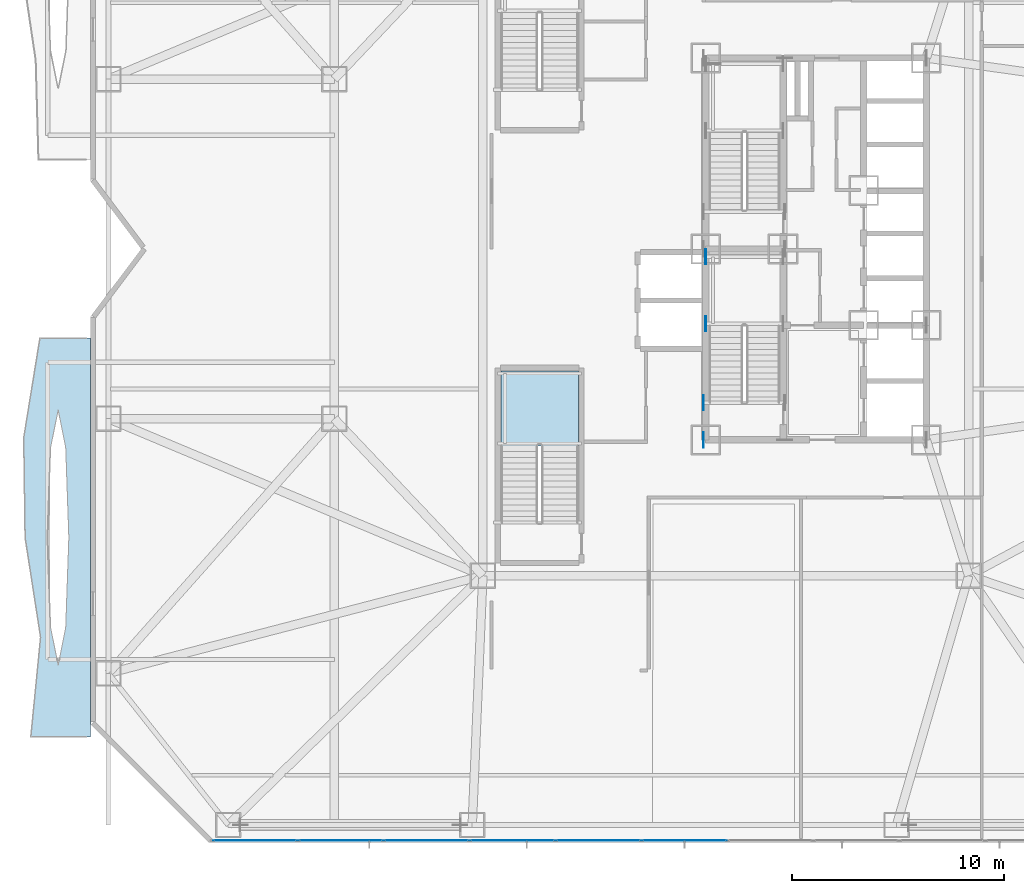
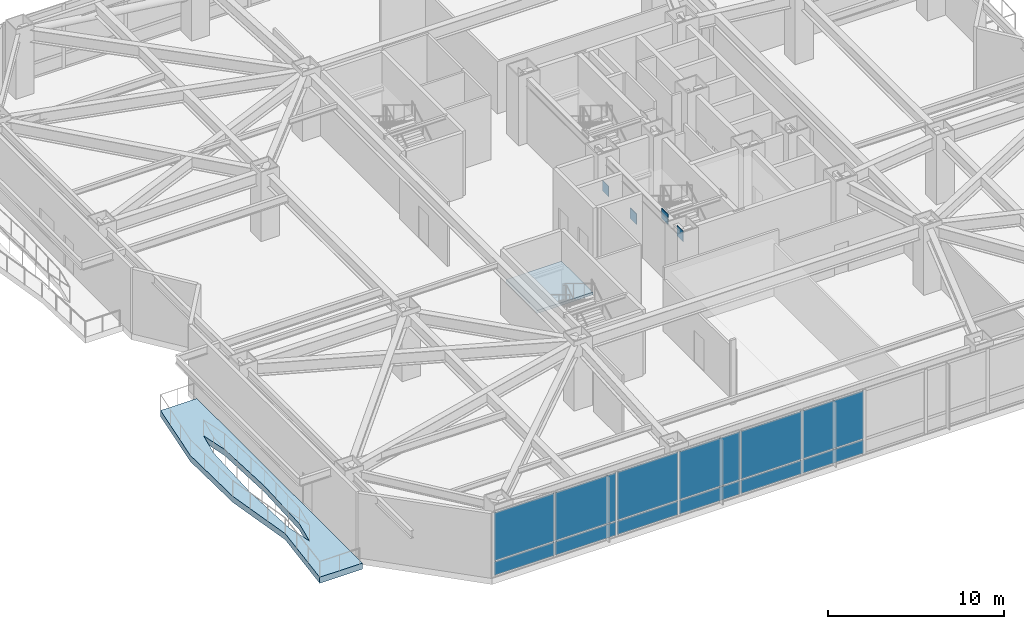
# One storey, part 16 of 33: 16 plates, 2 slabs, 2 elements without a shape of their own.
"""IFC4 building model written with IfcOpenShell, lengths in metres."""

from ifc_helpers import new_model, si_unit, direction, frame, origin, origin_2d, place, context, subcontext, project, spatial, polyline, rectangle, outline, extrude, material, layer, layer_set, type_object, element, aggregate, save


model = new_model("IFC4")

# Units and contexts
model_context = context("Model", 3, precision=1e-05, world=origin(), true_north=direction((0.0, 1.0)))
body_context = subcontext(model_context, "Body", "Model", "MODEL_VIEW")
ifc_project = project(units=[si_unit("LENGTHUNIT", "METRE"), si_unit("AREAUNIT", "SQUARE_METRE"), si_unit("VOLUMEUNIT", "CUBIC_METRE"), si_unit("PLANEANGLEUNIT", "RADIAN"), si_unit("MASSUNIT", "GRAM", prefix="KILO")], contexts=[model_context])

# Site, building, storey
site_placement = place(None, origin())
site = spatial("IfcSite", under=ifc_project, at=site_placement, CompositionType="ELEMENT")
building_placement = place(site_placement, origin())
building = spatial("IfcBuilding", under=site, at=building_placement, Name="Khamvora Tower", CompositionType="ELEMENT")
storey_placement = place(building_placement, frame((0.0, 0.0, 7.199951171875)))
storey = spatial("IfcBuildingStorey", under=building, at=storey_placement, Name="L01", CompositionType="ELEMENT", Elevation=7.199951171875)

# Curtain wall, plates
ifc_material_1 = material(Name="Anodised Aluminium 6063-T6", Category="aluminium")
curtain_wall_type = type_object("IfcCurtainWallType", Name="CW-SYS-01", PredefinedType="NOTDEFINED", material=ifc_material_1)
curtain_wall_placement = place(storey_placement, origin())
curtain_wall = element("IfcCurtainWall", 1, at=curtain_wall_placement, inside=storey, type_object=curtain_wall_type, Name="L01 stick curtain wall 14.1", PredefinedType="NOTDEFINED")
ifc_material_2 = material(Name="Low-E Laminated Double Glazing", Category="glass")
ifc_layer_1 = layer(ifc_material_2, 0.035888671875)
ifc_layer_set_1 = layer_set([ifc_layer_1], Name="Low-E Laminated Double Glazing")
plate_type_1 = type_object("IfcPlateType", Name="CW-SYS-01-PNL", PredefinedType="CURTAIN_PANEL", material=ifc_layer_set_1)
plate_1_placement = place(storey_placement, frame((28.0, 0.1201171875, 0.074951171875), z_axis=(0.0, 0.0, 1.0), x_axis=(-1.0, 0.0, 0.0)))
plate_1 = element("IfcPlate", 2, at=plate_1_placement, type_object=plate_type_1, Name="CW-01 panel 6.1", PredefinedType="CURTAIN_PANEL", context=body_context, shape_type="SweptSolid", body=[
    extrude(rectangle(XDim=3.97509765625, YDim=0.035888671875, at=origin_2d()), origin(), (0.0, 0.0, 1.0), 0.9375),
])
plate_2_placement = place(storey_placement, frame((28.0, 0.1201171875, 1.087646484375), z_axis=(0.0, 0.0, 1.0), x_axis=(-1.0, 0.0, 0.0)))
plate_2 = element("IfcPlate", 3, at=plate_2_placement, type_object=plate_type_1, Name="CW-01 panel 6.2", PredefinedType="CURTAIN_PANEL", context=body_context, shape_type="SweptSolid", body=[
    extrude(rectangle(XDim=3.97509765625, YDim=0.035888671875, at=origin_2d()), origin(), (0.0, 0.0, 1.0), 3.3173828125),
])
plate_3_placement = place(storey_placement, frame((23.949951171875, 0.1201171875, 0.074951171875), z_axis=(0.0, 0.0, 1.0), x_axis=(-1.0, 0.0, 0.0)))
plate_3 = element("IfcPlate", 4, at=plate_3_placement, type_object=plate_type_1, Name="CW-01 panel 7.1", PredefinedType="CURTAIN_PANEL", context=body_context, shape_type="SweptSolid", body=[
    extrude(rectangle(XDim=3.97509765625, YDim=0.035888671875, at=origin_2d()), origin(), (0.0, 0.0, 1.0), 0.9375),
])
plate_4_placement = place(storey_placement, frame((23.949951171875, 0.1201171875, 1.087646484375), z_axis=(0.0, 0.0, 1.0), x_axis=(-1.0, 0.0, 0.0)))
plate_4 = element("IfcPlate", 5, at=plate_4_placement, type_object=plate_type_1, Name="CW-01 panel 7.2", PredefinedType="CURTAIN_PANEL", context=body_context, shape_type="SweptSolid", body=[
    extrude(rectangle(XDim=3.97509765625, YDim=0.035888671875, at=origin_2d()), origin(), (0.0, 0.0, 1.0), 3.3173828125),
])
plate_5_placement = place(storey_placement, frame((19.89990234375, 0.1201171875, 0.074951171875), z_axis=(0.0, 0.0, 1.0), x_axis=(-1.0, 0.0, 0.0)))
plate_5 = element("IfcPlate", 6, at=plate_5_placement, type_object=plate_type_1, Name="CW-01 panel 8.1", PredefinedType="CURTAIN_PANEL", context=body_context, shape_type="SweptSolid", body=[
    extrude(rectangle(XDim=3.97509765625, YDim=0.035888671875, at=origin_2d()), origin(), (0.0, 0.0, 1.0), 0.9375),
])
plate_6_placement = place(storey_placement, frame((19.89990234375, 0.1201171875, 1.087646484375), z_axis=(0.0, 0.0, 1.0), x_axis=(-1.0, 0.0, 0.0)))
plate_6 = element("IfcPlate", 7, at=plate_6_placement, type_object=plate_type_1, Name="CW-01 panel 8.2", PredefinedType="CURTAIN_PANEL", context=body_context, shape_type="SweptSolid", body=[
    extrude(rectangle(XDim=3.97509765625, YDim=0.035888671875, at=origin_2d()), origin(), (0.0, 0.0, 1.0), 3.3173828125),
])
plate_7_placement = place(storey_placement, frame((15.85009765625, 0.1201171875, 0.074951171875), z_axis=(0.0, 0.0, 1.0), x_axis=(-1.0, 0.0, 0.0)))
plate_7 = element("IfcPlate", 8, at=plate_7_placement, type_object=plate_type_1, Name="CW-01 panel 9.1", PredefinedType="CURTAIN_PANEL", context=body_context, shape_type="SweptSolid", body=[
    extrude(rectangle(XDim=3.97509765625, YDim=0.035888671875, at=origin_2d()), origin(), (0.0, 0.0, 1.0), 0.9375),
])
plate_8_placement = place(storey_placement, frame((15.85009765625, 0.1201171875, 1.087646484375), z_axis=(0.0, 0.0, 1.0), x_axis=(-1.0, 0.0, 0.0)))
plate_8 = element("IfcPlate", 9, at=plate_8_placement, type_object=plate_type_1, Name="CW-01 panel 9.2", PredefinedType="CURTAIN_PANEL", context=body_context, shape_type="SweptSolid", body=[
    extrude(rectangle(XDim=3.97509765625, YDim=0.035888671875, at=origin_2d()), origin(), (0.0, 0.0, 1.0), 3.3173828125),
])
plate_9_placement = place(storey_placement, frame((11.800048828125, 0.1201171875, 0.074951171875), z_axis=(0.0, 0.0, 1.0), x_axis=(-1.0, 0.0, 0.0)))
plate_9 = element("IfcPlate", 10, at=plate_9_placement, type_object=plate_type_1, Name="CW-01 panel 10.1", PredefinedType="CURTAIN_PANEL", context=body_context, shape_type="SweptSolid", body=[
    extrude(rectangle(XDim=3.97509765625, YDim=0.035888671875, at=origin_2d()), origin(), (0.0, 0.0, 1.0), 0.9375),
])
plate_10_placement = place(storey_placement, frame((11.800048828125, 0.1201171875, 1.087646484375), z_axis=(0.0, 0.0, 1.0), x_axis=(-1.0, 0.0, 0.0)))
plate_10 = element("IfcPlate", 11, at=plate_10_placement, type_object=plate_type_1, Name="CW-01 panel 10.2", PredefinedType="CURTAIN_PANEL", context=body_context, shape_type="SweptSolid", body=[
    extrude(rectangle(XDim=3.97509765625, YDim=0.035888671875, at=origin_2d()), origin(), (0.0, 0.0, 1.0), 3.3173828125),
])
plate_11_placement = place(storey_placement, frame((7.768798828125, 0.1201171875, 0.074951171875), z_axis=(0.0, 0.0, 1.0), x_axis=(-1.0, 0.0, 0.0)))
plate_11 = element("IfcPlate", 12, at=plate_11_placement, type_object=plate_type_1, Name="CW-01 panel 11.1", PredefinedType="CURTAIN_PANEL", context=body_context, shape_type="SweptSolid", body=[
    extrude(rectangle(XDim=3.9375, YDim=0.035888671875, at=origin_2d()), origin(), (0.0, 0.0, 1.0), 0.9375),
])
plate_12_placement = place(storey_placement, frame((7.768798828125, 0.1201171875, 1.087646484375), z_axis=(0.0, 0.0, 1.0), x_axis=(-1.0, 0.0, 0.0)))
plate_12 = element("IfcPlate", 13, at=plate_12_placement, type_object=plate_type_1, Name="CW-01 panel 11.2", PredefinedType="CURTAIN_PANEL", context=body_context, shape_type="SweptSolid", body=[
    extrude(rectangle(XDim=3.9375, YDim=0.035888671875, at=origin_2d()), origin(), (0.0, 0.0, 1.0), 3.3173828125),
])
aggregate(curtain_wall, [plate_1, plate_2, plate_3, plate_4, plate_5, plate_6, plate_7, plate_8, plate_9, plate_10, plate_11, plate_12])

# Plates
ifc_material_3 = material(Name="Steel S460", Category="steel")
ifc_layer_2 = layer(ifc_material_3, 0.034912109375)
ifc_layer_set_2 = layer_set([ifc_layer_2], Name="Steel S460")
plate_type_2 = type_object("IfcPlateType", Name="PL-EMB-35", PredefinedType="SHEET", material=ifc_layer_set_2)
for number, where, z_axis, x_axis, name in (
    (14, (29.0, 24.47509765625, 1.708984375), (0.0, 0.0, 1.0), (1.0, 0.0, 0.0), "L01 core shear wall cast-in embed plate 0079"),
    (15, (29.0, 27.6298828125, 1.708984375), (0.0, 0.0, 1.0), (1.0, 0.0, 0.0), "L01 core shear wall cast-in embed plate 0081"),
    (16, (28.89990234375, 19.0, 3.85302734375), (0.0, 0.0, 1.0), (1.0, 0.0, 0.0), "L01 core shear wall cast-in embed plate 0090"),
    (17, (28.89990234375, 20.75, 3.994140625), (0.0, 0.0, 1.0), (1.0, 0.0, 0.0), "L01 core shear wall cast-in embed plate 0099"),
):
    element("IfcPlate", number, at=place(storey_placement, frame(where, z_axis=z_axis, x_axis=x_axis)), inside=storey, type_object=plate_type_2, Name=name, PredefinedType="SHEET", context=body_context, shape_type="SweptSolid", body=[
        extrude(rectangle(XDim=0.034912109375, YDim=0.719970703125, at=origin_2d()), origin(), (0.0, 0.0, 1.0), 0.719970703125),
    ])

# Slab
ifc_material_4 = material(Name="Concrete C40/50", Category="concrete")
ifc_layer_3 = layer(ifc_material_4, 0.419921875)
ifc_layer_set_3 = layer_set([ifc_layer_3], Name="Concrete C40/50")
slab_type_1 = type_object("IfcSlabType", Name="SLB-GRD-420", PredefinedType="FLOOR", material=ifc_layer_set_3)
slab_1_placement = place(storey_placement, frame((0.0, 0.0, -0.419921875)))
element("IfcSlab", 18, at=slab_1_placement, inside=storey, type_object=slab_type_1, Name="L01 external lens gallery slab WL1", PredefinedType="FLOOR", context=body_context, shape_type="SweptSolid", body=[
    extrude(outline(polyline([(0.0, 5.0), (0.0, 23.800048828125), (-2.375, 23.800048828125), (-3.137939453125, 19.10009765625), (-3.072998046875, 14.39990234375), (-2.344970703125, 9.699951171875), (-2.804931640625, 5.0), (0.0, 5.0)]), holes=[polyline([(-1.010986328125, 14.39990234375), (-1.158935546875, 18.654052734375), (-1.514892578125, 20.416015625), (-1.87109375, 18.654052734375), (-2.01904296875, 14.39990234375), (-1.87109375, 10.14599609375), (-1.514892578125, 8.384033203125), (-1.158935546875, 10.14599609375), (-1.010986328125, 14.39990234375)])]), origin(), (0.0, 0.0, 1.0), 0.419921875),
])

# Stair, slab
stair_type = type_object("IfcStairType", Name="STR-ST-03", PredefinedType="HALF_TURN_STAIR", material=ifc_material_4)
stair_placement = place(storey_placement, origin())
stair = element("IfcStair", 19, at=stair_placement, inside=storey, type_object=stair_type, Name="L01 South School Podium Stair ST-03", PredefinedType="HALF_TURN_STAIR")
ifc_layer_4 = layer(ifc_material_4, 0.199951171875)
ifc_layer_set_4 = layer_set([ifc_layer_4], Name="Concrete C40/50")
slab_type_2 = type_object("IfcSlabType", Name="SLB-LND-200", PredefinedType="LANDING", material=ifc_layer_set_4)
slab_2_placement = place(storey_placement, frame((0.0, 0.0, 2.199951171875)))
slab_2 = element("IfcSlab", 20, at=slab_2_placement, type_object=slab_type_2, Name="ST-03 landing 1", PredefinedType="LANDING", context=body_context, shape_type="SweptSolid", body=[
    extrude(outline(polyline([(23.0, 18.705078125), (23.0, 22.25), (19.35009765625, 22.25), (19.35009765625, 18.705078125), (23.0, 18.705078125)])), origin(), (0.0, 0.0, 1.0), 0.2001953125),
])
aggregate(stair, [slab_2])

save(model, "model.ifc")
